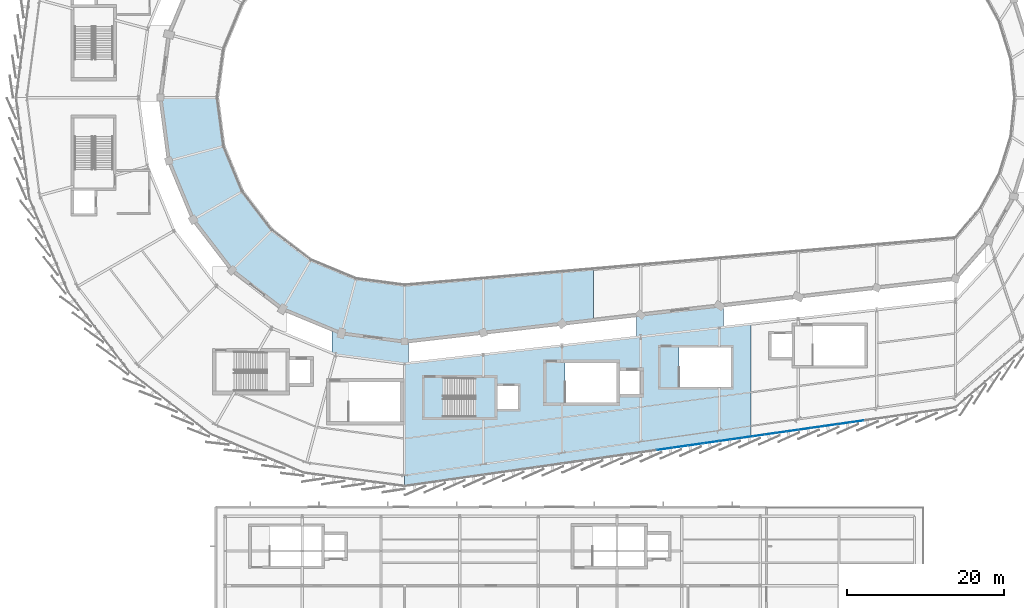
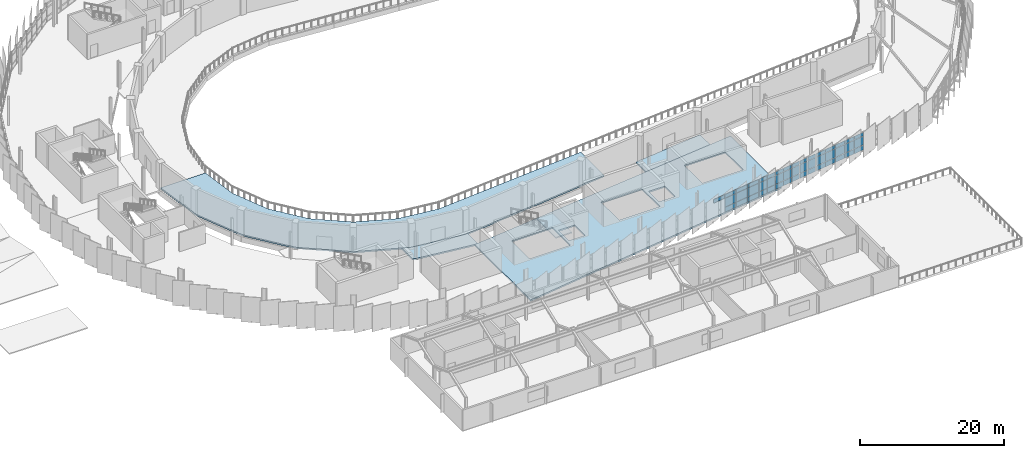
# One storey, part 62 of 87: 46 plates, 5 slabs, 4 elements without a shape of their own.
"""IFC4 building model written with IfcOpenShell, lengths in metres."""

from ifc_helpers import new_model, si_unit, direction, frame, origin, origin_2d, place, context, subcontext, project, spatial, polyline, rectangle, outline, extrude, material, layer, layer_set, type_object, element, aggregate, save


model = new_model("IFC4")

# Units and contexts
model_context = context("Model", 3, precision=1e-05, world=origin(), true_north=direction((0.0, 1.0)))
body_context = subcontext(model_context, "Body", "Model", "MODEL_VIEW")
ifc_project = project(units=[si_unit("LENGTHUNIT", "METRE"), si_unit("AREAUNIT", "SQUARE_METRE"), si_unit("VOLUMEUNIT", "CUBIC_METRE"), si_unit("PLANEANGLEUNIT", "RADIAN"), si_unit("MASSUNIT", "GRAM", prefix="KILO")], contexts=[model_context])

# Site, building, storey
site_placement = place(None, origin())
site = spatial("IfcSite", under=ifc_project, at=site_placement, CompositionType="ELEMENT")
building_placement = place(site_placement, origin())
building = spatial("IfcBuilding", under=site, at=building_placement, Name="Sohan Crest Arena", CompositionType="ELEMENT")
storey_placement = place(building_placement, frame((0.0, 0.0, 18.0)))
storey = spatial("IfcBuildingStorey", under=building, at=storey_placement, Name="L04", CompositionType="ELEMENT", Elevation=18.0)

# Curtain wall, plates
ifc_material_1 = material(Name="Thermally broken anodised aluminium", Category="aluminium")
ifc_layer_1 = layer(ifc_material_1, 0.18994140625, Name="Thermally broken anodised aluminium")
ifc_layer_set_1 = layer_set([ifc_layer_1], Name="Thermally broken anodised aluminium")
curtain_wall_type_1 = type_object("IfcCurtainWallType", Name="ARC-CW05", PredefinedType="NOTDEFINED", material=ifc_layer_set_1)
curtain_wall_1_placement = place(storey_placement, origin())
curtain_wall_1 = element("IfcCurtainWall", 1, at=curtain_wall_1_placement, inside=storey, type_object=curtain_wall_type_1, Name="Unitised curtain wall CW-128", PredefinedType="NOTDEFINED")
ifc_material_2 = material(Name="Low-E double-glazed insulated glass", Category="glass")
ifc_layer_2 = layer(ifc_material_2, 0.028076171875, Name="Low-E double-glazed insulated glass")
ifc_layer_set_2 = layer_set([ifc_layer_2], Name="Low-E double-glazed insulated glass")
plate_type_1 = type_object("IfcPlateType", Name="ARC-CNP01", PredefinedType="CURTAIN_PANEL", material=ifc_layer_set_2)
plate_1_placement = place(storey_placement, frame((138.729248046875, 34.46826171875, 0.06494140625), z_axis=(0.0, 0.0, 1.0), x_axis=(0.989943553128, 0.141462933734, 0.0)))
plate_1 = element("IfcPlate", 2, at=plate_1_placement, type_object=plate_type_1, Name="CW-128 panel 1.1", PredefinedType="CURTAIN_PANEL", context=body_context, shape_type="SweptSolid", body=[
    extrude(rectangle(XDim=1.35302734375, YDim=0.028076171875, at=origin_2d()), origin(), (0.0, 0.0, 1.0), 0.802490234375),
])
plate_2_placement = place(storey_placement, frame((138.729248046875, 34.46826171875, 0.932373046875), z_axis=(0.0, 0.0, 1.0), x_axis=(0.989943553128, 0.141462933734, 0.0)))
plate_2 = element("IfcPlate", 3, at=plate_2_placement, type_object=plate_type_1, Name="CW-128 panel 1.2", PredefinedType="CURTAIN_PANEL", context=body_context, shape_type="SweptSolid", body=[
    extrude(rectangle(XDim=1.35302734375, YDim=0.028076171875, at=origin_2d()), origin(), (0.0, 0.0, 1.0), 1.455078125),
])
plate_3_placement = place(storey_placement, frame((138.729248046875, 34.46826171875, 2.452392578125), z_axis=(0.0, 0.0, 1.0), x_axis=(0.989943553128, 0.141462933734, 0.0)))
plate_3 = element("IfcPlate", 4, at=plate_3_placement, type_object=plate_type_1, Name="CW-128 panel 1.3", PredefinedType="CURTAIN_PANEL", context=body_context, shape_type="SweptSolid", body=[
    extrude(rectangle(XDim=1.35302734375, YDim=0.028076171875, at=origin_2d()), origin(), (0.0, 0.0, 1.0), 0.6025390625),
])
plate_4_placement = place(storey_placement, frame((140.142822265625, 34.670166015625, 0.06494140625), z_axis=(0.0, 0.0, 1.0), x_axis=(0.989943553128, 0.141462933734, 0.0)))
plate_4 = element("IfcPlate", 5, at=plate_4_placement, type_object=plate_type_1, Name="CW-128 panel 2.1", PredefinedType="CURTAIN_PANEL", context=body_context, shape_type="SweptSolid", body=[
    extrude(rectangle(XDim=1.383056640625, YDim=0.028076171875, at=origin_2d()), origin(), (0.0, 0.0, 1.0), 0.802490234375),
])
plate_5_placement = place(storey_placement, frame((140.142822265625, 34.670166015625, 0.932373046875), z_axis=(0.0, 0.0, 1.0), x_axis=(0.989943553128, 0.141462933734, 0.0)))
plate_5 = element("IfcPlate", 6, at=plate_5_placement, type_object=plate_type_1, Name="CW-128 panel 2.2", PredefinedType="CURTAIN_PANEL", context=body_context, shape_type="SweptSolid", body=[
    extrude(rectangle(XDim=1.383056640625, YDim=0.028076171875, at=origin_2d()), origin(), (0.0, 0.0, 1.0), 1.455078125),
])
plate_6_placement = place(storey_placement, frame((140.142822265625, 34.670166015625, 2.452392578125), z_axis=(0.0, 0.0, 1.0), x_axis=(0.989943553128, 0.141462933734, 0.0)))
plate_6 = element("IfcPlate", 7, at=plate_6_placement, type_object=plate_type_1, Name="CW-128 panel 2.3", PredefinedType="CURTAIN_PANEL", context=body_context, shape_type="SweptSolid", body=[
    extrude(rectangle(XDim=1.383056640625, YDim=0.028076171875, at=origin_2d()), origin(), (0.0, 0.0, 1.0), 0.6025390625),
])
plate_7_placement = place(storey_placement, frame((141.571533203125, 34.874267578125, 0.06494140625), z_axis=(0.0, 0.0, 1.0), x_axis=(0.989943553128, 0.141462933734, 0.0)))
plate_7 = element("IfcPlate", 8, at=plate_7_placement, type_object=plate_type_1, Name="CW-128 panel 3.1", PredefinedType="CURTAIN_PANEL", context=body_context, shape_type="SweptSolid", body=[
    extrude(rectangle(XDim=1.383056640625, YDim=0.028076171875, at=origin_2d()), origin(), (0.0, 0.0, 1.0), 0.802490234375),
])
plate_8_placement = place(storey_placement, frame((141.571533203125, 34.874267578125, 0.932373046875), z_axis=(0.0, 0.0, 1.0), x_axis=(0.989943553128, 0.141462933734, 0.0)))
plate_8 = element("IfcPlate", 9, at=plate_8_placement, type_object=plate_type_1, Name="CW-128 panel 3.2", PredefinedType="CURTAIN_PANEL", context=body_context, shape_type="SweptSolid", body=[
    extrude(rectangle(XDim=1.383056640625, YDim=0.028076171875, at=origin_2d()), origin(), (0.0, 0.0, 1.0), 1.455078125),
])
plate_9_placement = place(storey_placement, frame((141.571533203125, 34.874267578125, 2.452392578125), z_axis=(0.0, 0.0, 1.0), x_axis=(0.989943553128, 0.141462933734, 0.0)))
plate_9 = element("IfcPlate", 10, at=plate_9_placement, type_object=plate_type_1, Name="CW-128 panel 3.3", PredefinedType="CURTAIN_PANEL", context=body_context, shape_type="SweptSolid", body=[
    extrude(rectangle(XDim=1.383056640625, YDim=0.028076171875, at=origin_2d()), origin(), (0.0, 0.0, 1.0), 0.6025390625),
])
plate_10_placement = place(storey_placement, frame((143.0, 35.07861328125, 0.06494140625), z_axis=(0.0, 0.0, 1.0), x_axis=(0.989943553128, 0.141462933734, 0.0)))
plate_10 = element("IfcPlate", 11, at=plate_10_placement, type_object=plate_type_1, Name="CW-128 panel 4.1", PredefinedType="CURTAIN_PANEL", context=body_context, shape_type="SweptSolid", body=[
    extrude(rectangle(XDim=1.383056640625, YDim=0.028076171875, at=origin_2d()), origin(), (0.0, 0.0, 1.0), 0.802490234375),
])
plate_11_placement = place(storey_placement, frame((143.0, 35.07861328125, 0.932373046875), z_axis=(0.0, 0.0, 1.0), x_axis=(0.989943553128, 0.141462933734, 0.0)))
plate_11 = element("IfcPlate", 12, at=plate_11_placement, type_object=plate_type_1, Name="CW-128 panel 4.2", PredefinedType="CURTAIN_PANEL", context=body_context, shape_type="SweptSolid", body=[
    extrude(rectangle(XDim=1.383056640625, YDim=0.028076171875, at=origin_2d()), origin(), (0.0, 0.0, 1.0), 1.455078125),
])
plate_12_placement = place(storey_placement, frame((143.0, 35.07861328125, 2.452392578125), z_axis=(0.0, 0.0, 1.0), x_axis=(0.989943553128, 0.141462933734, 0.0)))
plate_12 = element("IfcPlate", 13, at=plate_12_placement, type_object=plate_type_1, Name="CW-128 panel 4.3", PredefinedType="CURTAIN_PANEL", context=body_context, shape_type="SweptSolid", body=[
    extrude(rectangle(XDim=1.383056640625, YDim=0.028076171875, at=origin_2d()), origin(), (0.0, 0.0, 1.0), 0.6025390625),
])
plate_13_placement = place(storey_placement, frame((144.428466796875, 35.28271484375, 0.06494140625), z_axis=(0.0, 0.0, 1.0), x_axis=(0.989943553128, 0.141462933734, 0.0)))
plate_13 = element("IfcPlate", 14, at=plate_13_placement, type_object=plate_type_1, Name="CW-128 panel 5.1", PredefinedType="CURTAIN_PANEL", context=body_context, shape_type="SweptSolid", body=[
    extrude(rectangle(XDim=1.383056640625, YDim=0.028076171875, at=origin_2d()), origin(), (0.0, 0.0, 1.0), 0.802490234375),
])
plate_14_placement = place(storey_placement, frame((144.428466796875, 35.28271484375, 0.932373046875), z_axis=(0.0, 0.0, 1.0), x_axis=(0.989943553128, 0.141462933734, 0.0)))
plate_14 = element("IfcPlate", 15, at=plate_14_placement, type_object=plate_type_1, Name="CW-128 panel 5.2", PredefinedType="CURTAIN_PANEL", context=body_context, shape_type="SweptSolid", body=[
    extrude(rectangle(XDim=1.383056640625, YDim=0.028076171875, at=origin_2d()), origin(), (0.0, 0.0, 1.0), 1.455078125),
])
plate_15_placement = place(storey_placement, frame((144.428466796875, 35.28271484375, 2.452392578125), z_axis=(0.0, 0.0, 1.0), x_axis=(0.989943553128, 0.141462933734, 0.0)))
plate_15 = element("IfcPlate", 16, at=plate_15_placement, type_object=plate_type_1, Name="CW-128 panel 5.3", PredefinedType="CURTAIN_PANEL", context=body_context, shape_type="SweptSolid", body=[
    extrude(rectangle(XDim=1.383056640625, YDim=0.028076171875, at=origin_2d()), origin(), (0.0, 0.0, 1.0), 0.6025390625),
])
plate_16_placement = place(storey_placement, frame((145.857177734375, 35.48681640625, 0.06494140625), z_axis=(0.0, 0.0, 1.0), x_axis=(0.989943553128, 0.141462933734, 0.0)))
plate_16 = element("IfcPlate", 17, at=plate_16_placement, type_object=plate_type_1, Name="CW-128 panel 6.1", PredefinedType="CURTAIN_PANEL", context=body_context, shape_type="SweptSolid", body=[
    extrude(rectangle(XDim=1.383056640625, YDim=0.028076171875, at=origin_2d()), origin(), (0.0, 0.0, 1.0), 0.802490234375),
])
plate_17_placement = place(storey_placement, frame((145.857177734375, 35.48681640625, 0.932373046875), z_axis=(0.0, 0.0, 1.0), x_axis=(0.989943553128, 0.141462933734, 0.0)))
plate_17 = element("IfcPlate", 18, at=plate_17_placement, type_object=plate_type_1, Name="CW-128 panel 6.2", PredefinedType="CURTAIN_PANEL", context=body_context, shape_type="SweptSolid", body=[
    extrude(rectangle(XDim=1.383056640625, YDim=0.028076171875, at=origin_2d()), origin(), (0.0, 0.0, 1.0), 1.455078125),
])
plate_18_placement = place(storey_placement, frame((145.857177734375, 35.48681640625, 2.452392578125), z_axis=(0.0, 0.0, 1.0), x_axis=(0.989943553128, 0.141462933734, 0.0)))
plate_18 = element("IfcPlate", 19, at=plate_18_placement, type_object=plate_type_1, Name="CW-128 panel 6.3", PredefinedType="CURTAIN_PANEL", context=body_context, shape_type="SweptSolid", body=[
    extrude(rectangle(XDim=1.383056640625, YDim=0.028076171875, at=origin_2d()), origin(), (0.0, 0.0, 1.0), 0.6025390625),
])
plate_19_placement = place(storey_placement, frame((147.270751953125, 35.688720703125, 0.06494140625), z_axis=(0.0, 0.0, 1.0), x_axis=(0.989943553128, 0.141462933734, 0.0)))
plate_19 = element("IfcPlate", 20, at=plate_19_placement, type_object=plate_type_1, Name="CW-128 panel 7.1", PredefinedType="CURTAIN_PANEL", context=body_context, shape_type="SweptSolid", body=[
    extrude(rectangle(XDim=1.35302734375, YDim=0.028076171875, at=origin_2d()), origin(), (0.0, 0.0, 1.0), 0.802490234375),
])
plate_20_placement = place(storey_placement, frame((147.270751953125, 35.688720703125, 0.932373046875), z_axis=(0.0, 0.0, 1.0), x_axis=(0.989943553128, 0.141462933734, 0.0)))
plate_20 = element("IfcPlate", 21, at=plate_20_placement, type_object=plate_type_1, Name="CW-128 panel 7.2", PredefinedType="CURTAIN_PANEL", context=body_context, shape_type="SweptSolid", body=[
    extrude(rectangle(XDim=1.35302734375, YDim=0.028076171875, at=origin_2d()), origin(), (0.0, 0.0, 1.0), 1.455078125),
])
plate_21_placement = place(storey_placement, frame((147.270751953125, 35.688720703125, 2.452392578125), z_axis=(0.0, 0.0, 1.0), x_axis=(0.989943553128, 0.141462933734, 0.0)))
plate_21 = element("IfcPlate", 22, at=plate_21_placement, type_object=plate_type_1, Name="CW-128 panel 7.3", PredefinedType="CURTAIN_PANEL", context=body_context, shape_type="SweptSolid", body=[
    extrude(rectangle(XDim=1.35302734375, YDim=0.028076171875, at=origin_2d()), origin(), (0.0, 0.0, 1.0), 0.6025390625),
])
aggregate(curtain_wall_1, [plate_1, plate_2, plate_3, plate_4, plate_5, plate_6, plate_7, plate_8, plate_9, plate_10, plate_11, plate_12, plate_13, plate_14, plate_15, plate_16, plate_17, plate_18, plate_19, plate_20, plate_21])

ifc_layer_3 = layer(ifc_material_1, 0.2099609375, Name="Thermally broken anodised aluminium")
ifc_layer_set_3 = layer_set([ifc_layer_3], Name="Thermally broken anodised aluminium")
curtain_wall_type_2 = type_object("IfcCurtainWallType", Name="ARC-CW06", PredefinedType="NOTDEFINED", material=ifc_layer_set_3)
curtain_wall_2_placement = place(storey_placement, origin())
curtain_wall_2 = element("IfcCurtainWall", 23, at=curtain_wall_2_placement, inside=storey, type_object=curtain_wall_type_2, Name="Unitised curtain wall CW-129", PredefinedType="NOTDEFINED")
ifc_layer_4 = layer(ifc_material_2, 0.031982421875, Name="Low-E double-glazed insulated glass")
ifc_layer_set_4 = layer_set([ifc_layer_4], Name="Low-E double-glazed insulated glass")
plate_type_2 = type_object("IfcPlateType", Name="ARC-CNP02", PredefinedType="CURTAIN_PANEL", material=ifc_layer_set_4)
plate_22_placement = place(storey_placement, frame((148.849365234375, 35.914306640625, 0.070068359375), z_axis=(0.0, 0.0, 1.0), x_axis=(0.989957411768, 0.141365918403, 0.0)))
plate_22 = element("IfcPlate", 24, at=plate_22_placement, type_object=plate_type_2, Name="CW-129 panel 1.1", PredefinedType="CURTAIN_PANEL", context=body_context, shape_type="SweptSolid", body=[
    extrude(rectangle(XDim=1.586181640625, YDim=0.031982421875, at=origin_2d()), origin(), (0.0, 0.0, 1.0), 0.794921875),
])
plate_23_placement = place(storey_placement, frame((148.849365234375, 35.914306640625, 0.93505859375), z_axis=(0.0, 0.0, 1.0), x_axis=(0.989957411768, 0.141365918403, 0.0)))
plate_23 = element("IfcPlate", 25, at=plate_23_placement, type_object=plate_type_2, Name="CW-129 panel 1.2", PredefinedType="CURTAIN_PANEL", context=body_context, shape_type="SweptSolid", body=[
    extrude(rectangle(XDim=1.586181640625, YDim=0.031982421875, at=origin_2d()), origin(), (0.0, 0.0, 1.0), 1.449951171875),
])
plate_24_placement = place(storey_placement, frame((148.849365234375, 35.914306640625, 2.455078125), z_axis=(0.0, 0.0, 1.0), x_axis=(0.989957411768, 0.141365918403, 0.0)))
plate_24 = element("IfcPlate", 26, at=plate_24_placement, type_object=plate_type_2, Name="CW-129 panel 1.3", PredefinedType="CURTAIN_PANEL", context=body_context, shape_type="SweptSolid", body=[
    extrude(rectangle(XDim=1.586181640625, YDim=0.031982421875, at=origin_2d()), origin(), (0.0, 0.0, 1.0), 0.594970703125),
])
plate_25_placement = place(storey_placement, frame((150.5, 36.14990234375, 0.070068359375), z_axis=(0.0, 0.0, 1.0), x_axis=(0.989957411768, 0.141365918403, 0.0)))
plate_25 = element("IfcPlate", 27, at=plate_25_placement, type_object=plate_type_2, Name="CW-129 panel 2.1", PredefinedType="CURTAIN_PANEL", context=body_context, shape_type="SweptSolid", body=[
    extrude(rectangle(XDim=1.61865234375, YDim=0.031982421875, at=origin_2d()), origin(), (0.0, 0.0, 1.0), 0.794921875),
])
plate_26_placement = place(storey_placement, frame((150.5, 36.14990234375, 0.93505859375), z_axis=(0.0, 0.0, 1.0), x_axis=(0.989957411768, 0.141365918403, 0.0)))
plate_26 = element("IfcPlate", 28, at=plate_26_placement, type_object=plate_type_2, Name="CW-129 panel 2.2", PredefinedType="CURTAIN_PANEL", context=body_context, shape_type="SweptSolid", body=[
    extrude(rectangle(XDim=1.61865234375, YDim=0.031982421875, at=origin_2d()), origin(), (0.0, 0.0, 1.0), 1.449951171875),
])
plate_27_placement = place(storey_placement, frame((150.5, 36.14990234375, 2.455078125), z_axis=(0.0, 0.0, 1.0), x_axis=(0.989957411768, 0.141365918403, 0.0)))
plate_27 = element("IfcPlate", 29, at=plate_27_placement, type_object=plate_type_2, Name="CW-129 panel 2.3", PredefinedType="CURTAIN_PANEL", context=body_context, shape_type="SweptSolid", body=[
    extrude(rectangle(XDim=1.61865234375, YDim=0.031982421875, at=origin_2d()), origin(), (0.0, 0.0, 1.0), 0.594970703125),
])
plate_28_placement = place(storey_placement, frame((152.166748046875, 36.387939453125, 0.070068359375), z_axis=(0.0, 0.0, 1.0), x_axis=(0.989957411768, 0.141365918403, 0.0)))
plate_28 = element("IfcPlate", 30, at=plate_28_placement, type_object=plate_type_2, Name="CW-129 panel 3.1", PredefinedType="CURTAIN_PANEL", context=body_context, shape_type="SweptSolid", body=[
    extrude(rectangle(XDim=1.61865234375, YDim=0.031982421875, at=origin_2d()), origin(), (0.0, 0.0, 1.0), 0.794921875),
])
plate_29_placement = place(storey_placement, frame((152.166748046875, 36.387939453125, 0.93505859375), z_axis=(0.0, 0.0, 1.0), x_axis=(0.989957411768, 0.141365918403, 0.0)))
plate_29 = element("IfcPlate", 31, at=plate_29_placement, type_object=plate_type_2, Name="CW-129 panel 3.2", PredefinedType="CURTAIN_PANEL", context=body_context, shape_type="SweptSolid", body=[
    extrude(rectangle(XDim=1.61865234375, YDim=0.031982421875, at=origin_2d()), origin(), (0.0, 0.0, 1.0), 1.449951171875),
])
plate_30_placement = place(storey_placement, frame((152.166748046875, 36.387939453125, 2.455078125), z_axis=(0.0, 0.0, 1.0), x_axis=(0.989957411768, 0.141365918403, 0.0)))
plate_30 = element("IfcPlate", 32, at=plate_30_placement, type_object=plate_type_2, Name="CW-129 panel 3.3", PredefinedType="CURTAIN_PANEL", context=body_context, shape_type="SweptSolid", body=[
    extrude(rectangle(XDim=1.61865234375, YDim=0.031982421875, at=origin_2d()), origin(), (0.0, 0.0, 1.0), 0.594970703125),
])
plate_31_placement = place(storey_placement, frame((153.833251953125, 36.6259765625, 0.070068359375), z_axis=(0.0, 0.0, 1.0), x_axis=(0.989957411768, 0.141365918403, 0.0)))
plate_31 = element("IfcPlate", 33, at=plate_31_placement, type_object=plate_type_2, Name="CW-129 panel 4.1", PredefinedType="CURTAIN_PANEL", context=body_context, shape_type="SweptSolid", body=[
    extrude(rectangle(XDim=1.61865234375, YDim=0.031982421875, at=origin_2d()), origin(), (0.0, 0.0, 1.0), 0.794921875),
])
plate_32_placement = place(storey_placement, frame((153.833251953125, 36.6259765625, 0.93505859375), z_axis=(0.0, 0.0, 1.0), x_axis=(0.989957411768, 0.141365918403, 0.0)))
plate_32 = element("IfcPlate", 34, at=plate_32_placement, type_object=plate_type_2, Name="CW-129 panel 4.2", PredefinedType="CURTAIN_PANEL", context=body_context, shape_type="SweptSolid", body=[
    extrude(rectangle(XDim=1.61865234375, YDim=0.031982421875, at=origin_2d()), origin(), (0.0, 0.0, 1.0), 1.449951171875),
])
plate_33_placement = place(storey_placement, frame((153.833251953125, 36.6259765625, 2.455078125), z_axis=(0.0, 0.0, 1.0), x_axis=(0.989957411768, 0.141365918403, 0.0)))
plate_33 = element("IfcPlate", 35, at=plate_33_placement, type_object=plate_type_2, Name="CW-129 panel 4.3", PredefinedType="CURTAIN_PANEL", context=body_context, shape_type="SweptSolid", body=[
    extrude(rectangle(XDim=1.61865234375, YDim=0.031982421875, at=origin_2d()), origin(), (0.0, 0.0, 1.0), 0.594970703125),
])
plate_34_placement = place(storey_placement, frame((155.5, 36.864013671875, 0.070068359375), z_axis=(0.0, 0.0, 1.0), x_axis=(0.989957411768, 0.141365918403, 0.0)))
plate_34 = element("IfcPlate", 36, at=plate_34_placement, type_object=plate_type_2, Name="CW-129 panel 5.1", PredefinedType="CURTAIN_PANEL", context=body_context, shape_type="SweptSolid", body=[
    extrude(rectangle(XDim=1.61865234375, YDim=0.031982421875, at=origin_2d()), origin(), (0.0, 0.0, 1.0), 0.794921875),
])
plate_35_placement = place(storey_placement, frame((155.5, 36.864013671875, 0.93505859375), z_axis=(0.0, 0.0, 1.0), x_axis=(0.989957411768, 0.141365918403, 0.0)))
plate_35 = element("IfcPlate", 37, at=plate_35_placement, type_object=plate_type_2, Name="CW-129 panel 5.2", PredefinedType="CURTAIN_PANEL", context=body_context, shape_type="SweptSolid", body=[
    extrude(rectangle(XDim=1.61865234375, YDim=0.031982421875, at=origin_2d()), origin(), (0.0, 0.0, 1.0), 1.449951171875),
])
plate_36_placement = place(storey_placement, frame((155.5, 36.864013671875, 2.455078125), z_axis=(0.0, 0.0, 1.0), x_axis=(0.989957411768, 0.141365918403, 0.0)))
plate_36 = element("IfcPlate", 38, at=plate_36_placement, type_object=plate_type_2, Name="CW-129 panel 5.3", PredefinedType="CURTAIN_PANEL", context=body_context, shape_type="SweptSolid", body=[
    extrude(rectangle(XDim=1.61865234375, YDim=0.031982421875, at=origin_2d()), origin(), (0.0, 0.0, 1.0), 0.594970703125),
])
aggregate(curtain_wall_2, [plate_22, plate_23, plate_24, plate_25, plate_26, plate_27, plate_28, plate_29, plate_30, plate_31, plate_32, plate_33, plate_34, plate_35, plate_36])

ifc_layer_5 = layer(ifc_material_1, 0.239990234375, Name="Thermally broken anodised aluminium")
ifc_layer_set_5 = layer_set([ifc_layer_5], Name="Thermally broken anodised aluminium")
curtain_wall_type_3 = type_object("IfcCurtainWallType", Name="ARC-CW04", PredefinedType="NOTDEFINED", material=ifc_layer_set_5)
curtain_wall_3_placement = place(storey_placement, origin())
curtain_wall_3 = element("IfcCurtainWall", 39, at=curtain_wall_3_placement, inside=storey, type_object=curtain_wall_type_3, Name="Unitised curtain wall CW-127", PredefinedType="NOTDEFINED")
ifc_material_3 = material(Name="Insulated polychrome ceramic spandrel panel", Category="masonry")
ifc_layer_6 = layer(ifc_material_3, 0.0419921875, Name="Insulated polychrome ceramic spandrel panel")
ifc_layer_set_6 = layer_set([ifc_layer_6], Name="Insulated polychrome ceramic spandrel panel")
plate_type_3 = type_object("IfcPlateType", Name="ARC-CNP04", PredefinedType="CURTAIN_PANEL", material=ifc_layer_set_6)
plate_37_placement = place(storey_placement, frame((131.0, 33.364501953125, 2.44970703125), z_axis=(0.0, 0.0, 1.0), x_axis=(0.989957411768, 0.141365918403, 0.0)))
plate_37 = element("IfcPlate", 40, at=plate_37_placement, type_object=plate_type_3, Name="CW-127 panel 2.3", PredefinedType="CURTAIN_PANEL", context=body_context, shape_type="SweptSolid", body=[
    extrude(rectangle(XDim=1.9453125, YDim=0.0419921875, at=origin_2d()), origin(), (0.0, 0.0, 1.0), 0.610107421875),
])
plate_38_placement = place(storey_placement, frame((133.0, 33.64990234375, 0.06005859375), z_axis=(0.0, 0.0, 1.0), x_axis=(0.989957411768, 0.141365918403, 0.0)))
plate_38 = element("IfcPlate", 41, at=plate_38_placement, type_object=plate_type_3, Name="CW-127 panel 3.1", PredefinedType="CURTAIN_PANEL", context=body_context, shape_type="SweptSolid", body=[
    extrude(rectangle(XDim=1.9453125, YDim=0.0419921875, at=origin_2d()), origin(), (0.0, 0.0, 1.0), 0.81005859375),
])
plate_39_placement = place(storey_placement, frame((133.0, 33.64990234375, 0.929931640625), z_axis=(0.0, 0.0, 1.0), x_axis=(0.989957411768, 0.141365918403, 0.0)))
plate_39 = element("IfcPlate", 42, at=plate_39_placement, type_object=plate_type_3, Name="CW-127 panel 3.2", PredefinedType="CURTAIN_PANEL", context=body_context, shape_type="SweptSolid", body=[
    extrude(rectangle(XDim=1.9453125, YDim=0.0419921875, at=origin_2d()), origin(), (0.0, 0.0, 1.0), 1.4599609375),
])
plate_40_placement = place(storey_placement, frame((133.0, 33.64990234375, 2.44970703125), z_axis=(0.0, 0.0, 1.0), x_axis=(0.989957411768, 0.141365918403, 0.0)))
plate_40 = element("IfcPlate", 43, at=plate_40_placement, type_object=plate_type_3, Name="CW-127 panel 3.3", PredefinedType="CURTAIN_PANEL", context=body_context, shape_type="SweptSolid", body=[
    extrude(rectangle(XDim=1.9453125, YDim=0.0419921875, at=origin_2d()), origin(), (0.0, 0.0, 1.0), 0.610107421875),
])
plate_41_placement = place(storey_placement, frame((135.0, 33.935546875, 0.06005859375), z_axis=(0.0, 0.0, 1.0), x_axis=(0.989957411768, 0.141365918403, 0.0)))
plate_41 = element("IfcPlate", 44, at=plate_41_placement, type_object=plate_type_3, Name="CW-127 panel 4.1", PredefinedType="CURTAIN_PANEL", context=body_context, shape_type="SweptSolid", body=[
    extrude(rectangle(XDim=1.9453125, YDim=0.0419921875, at=origin_2d()), origin(), (0.0, 0.0, 1.0), 0.81005859375),
])
plate_42_placement = place(storey_placement, frame((135.0, 33.935546875, 0.929931640625), z_axis=(0.0, 0.0, 1.0), x_axis=(0.989957411768, 0.141365918403, 0.0)))
plate_42 = element("IfcPlate", 45, at=plate_42_placement, type_object=plate_type_3, Name="CW-127 panel 4.2", PredefinedType="CURTAIN_PANEL", context=body_context, shape_type="SweptSolid", body=[
    extrude(rectangle(XDim=1.9453125, YDim=0.0419921875, at=origin_2d()), origin(), (0.0, 0.0, 1.0), 1.4599609375),
])
plate_43_placement = place(storey_placement, frame((135.0, 33.935546875, 2.44970703125), z_axis=(0.0, 0.0, 1.0), x_axis=(0.989957411768, 0.141365918403, 0.0)))
plate_43 = element("IfcPlate", 46, at=plate_43_placement, type_object=plate_type_3, Name="CW-127 panel 4.3", PredefinedType="CURTAIN_PANEL", context=body_context, shape_type="SweptSolid", body=[
    extrude(rectangle(XDim=1.9453125, YDim=0.0419921875, at=origin_2d()), origin(), (0.0, 0.0, 1.0), 0.610107421875),
])
plate_44_placement = place(storey_placement, frame((136.9814453125, 34.218505859375, 0.06005859375), z_axis=(0.0, 0.0, 1.0), x_axis=(0.989957411768, 0.141365918403, 0.0)))
plate_44 = element("IfcPlate", 47, at=plate_44_placement, type_object=plate_type_3, Name="CW-127 panel 5.1", PredefinedType="CURTAIN_PANEL", context=body_context, shape_type="SweptSolid", body=[
    extrude(rectangle(XDim=1.90771484375, YDim=0.0419921875, at=origin_2d()), origin(), (0.0, 0.0, 1.0), 0.81005859375),
])
plate_45_placement = place(storey_placement, frame((136.9814453125, 34.218505859375, 0.929931640625), z_axis=(0.0, 0.0, 1.0), x_axis=(0.989957411768, 0.141365918403, 0.0)))
plate_45 = element("IfcPlate", 48, at=plate_45_placement, type_object=plate_type_3, Name="CW-127 panel 5.2", PredefinedType="CURTAIN_PANEL", context=body_context, shape_type="SweptSolid", body=[
    extrude(rectangle(XDim=1.90771484375, YDim=0.0419921875, at=origin_2d()), origin(), (0.0, 0.0, 1.0), 1.4599609375),
])
plate_46_placement = place(storey_placement, frame((136.9814453125, 34.218505859375, 2.44970703125), z_axis=(0.0, 0.0, 1.0), x_axis=(0.989957411768, 0.141365918403, 0.0)))
plate_46 = element("IfcPlate", 49, at=plate_46_placement, type_object=plate_type_3, Name="CW-127 panel 5.3", PredefinedType="CURTAIN_PANEL", context=body_context, shape_type="SweptSolid", body=[
    extrude(rectangle(XDim=1.90771484375, YDim=0.0419921875, at=origin_2d()), origin(), (0.0, 0.0, 1.0), 0.610107421875),
])
aggregate(curtain_wall_3, [plate_37, plate_38, plate_39, plate_40, plate_41, plate_42, plate_43, plate_44, plate_45, plate_46])

# Slabs
ifc_material_4 = material(Name="Concrete C40/50", Category="concrete")
ifc_layer_7 = layer(ifc_material_4, 0.25, Name="Concrete C40/50")
ifc_layer_set_7 = layer_set([ifc_layer_7], Name="Concrete C40/50")
slab_type_1 = type_object("IfcSlabType", Name="SL-FLR3", PredefinedType="FLOOR", material=ifc_layer_set_7)
slab_1_placement = place(storey_placement, frame((0.0, 0.0, -0.25)))
element("IfcSlab", 50, at=slab_1_placement, inside=storey, type_object=slab_type_1, Name="Bowl vomitory ring L04 Q3 SL-L04-V1Q3", PredefinedType="FLOOR", context=body_context, shape_type="SweptSolid", body=[
    extrude(outline(polyline([(122.0, 49.742919921875), (98.0, 47.0), (89.97705078125, 48.055908203125), (82.5, 51.153076171875), (76.080078125, 56.080078125), (71.153076171875, 62.5), (68.055908203125, 69.97705078125), (67.0, 78.0), (74.199951171875, 78.0), (75.010986328125, 71.840087890625), (77.388916015625, 66.10009765625), (81.1708984375, 61.1708984375), (86.10009765625, 57.388916015625), (91.840087890625, 55.010986328125), (98.0, 54.199951171875), (122.0, 56.257080078125), (122.0, 49.742919921875)])), origin(), (0.0, 0.0, 1.0), 0.25),
])
slab_2_placement = place(storey_placement, frame((0.0, 0.0, -0.25)))
element("IfcSlab", 51, at=slab_2_placement, inside=storey, type_object=slab_type_1, Name="Concourse ring L04 sector 4 SL-L04-V2S4", PredefinedType="FLOOR", context=body_context, shape_type="SweptSolid", body=[
    extrude(outline(polyline([(142.0, 34.93603515625), (98.0, 28.64990234375), (98.0, 44.199951171875), (142.0, 49.22802734375), (142.0, 34.93603515625)]), holes=[polyline([(109.449951171875, 42.39990234375), (102.8701171875, 42.39990234375), (102.8701171875, 37.39990234375), (109.449951171875, 37.39990234375), (109.449951171875, 42.39990234375)]), polyline([(112.39990234375, 38.449951171875), (112.39990234375, 41.35009765625), (109.800048828125, 41.35009765625), (109.800048828125, 38.449951171875), (112.39990234375, 38.449951171875)]), polyline([(124.949951171875, 44.300048828125), (118.3701171875, 44.300048828125), (118.3701171875, 39.300048828125), (124.949951171875, 39.300048828125), (124.949951171875, 44.300048828125)]), polyline([(128.0, 40.35009765625), (128.0, 43.25), (125.39990234375, 43.25), (125.39990234375, 40.35009765625), (128.0, 40.35009765625)]), polyline([(132.8701171875, 41.25), (139.449951171875, 41.25), (139.449951171875, 46.25), (132.8701171875, 46.25), (132.8701171875, 41.25)])]), origin(), (0.0, 0.0, 1.0), 0.25),
])
slab_3_placement = place(storey_placement, frame((0.0, 0.0, -0.25)))
element("IfcSlab", 52, at=slab_3_placement, inside=storey, type_object=slab_type_1, Name="Seismic joint threshold slab L04 SL-TH-L04-11", PredefinedType="FLOOR", context=body_context, shape_type="SweptSolid", body=[
    extrude(outline(polyline([(98.0, 44.199951171875), (89.251953125, 45.35205078125), (88.751953125, 45.55908203125), (88.751953125, 48.555908203125), (88.77001953125, 48.555908203125), (89.97705078125, 48.055908203125), (98.0, 47.0), (98.5, 47.056884765625), (98.5, 44.257080078125), (98.0, 44.199951171875)])), origin(), (0.0, 0.0, 1.0), 0.25),
])
slab_4_placement = place(storey_placement, frame((0.0, 0.0, -0.25)))
element("IfcSlab", 53, at=slab_4_placement, inside=storey, type_object=slab_type_1, Name="Seismic joint threshold slab L04 SL-TH-L04-15", PredefinedType="FLOOR", context=body_context, shape_type="SweptSolid", body=[
    extrude(outline(polyline([(138.5, 48.827880859375), (127.5, 47.572021484375), (127.5, 50.3720703125), (138.5, 51.6279296875), (138.5, 48.827880859375)])), origin(), (0.0, 0.0, 1.0), 0.25),
])

# Stair, slab
stair_type = type_object("IfcStairType", Name="ST-450", PredefinedType="TWO_STRAIGHT_RUN_STAIR", material=ifc_material_4)
stair_placement = place(storey_placement, origin())
stair = element("IfcStair", 54, at=stair_placement, inside=storey, type_object=stair_type, Name="Protected exit stair ST05-L04", PredefinedType="TWO_STRAIGHT_RUN_STAIR")
ifc_layer_8 = layer(ifc_material_4, 0.199951171875, Name="Concrete C40/50")
ifc_layer_set_8 = layer_set([ifc_layer_8], Name="Concrete C40/50")
slab_type_2 = type_object("IfcSlabType", Name="SL-LND1", PredefinedType="LANDING", material=ifc_layer_set_8)
slab_5_placement = place(storey_placement, frame((0.0, 0.0, 2.050048828125)))
slab_5 = element("IfcSlab", 55, at=slab_5_placement, type_object=slab_type_2, Name="ST05-L04 landing 1", PredefinedType="LANDING", context=body_context, shape_type="SweptSolid", body=[
    extrude(outline(polyline([(107.030029296875, 37.25), (109.60009765625, 37.25), (109.60009765625, 42.550048828125), (107.030029296875, 42.550048828125), (107.030029296875, 37.25)])), origin(), (0.0, 0.0, 1.0), 0.199951171875),
])
aggregate(stair, [slab_5])

save(model, "model.ifc")
